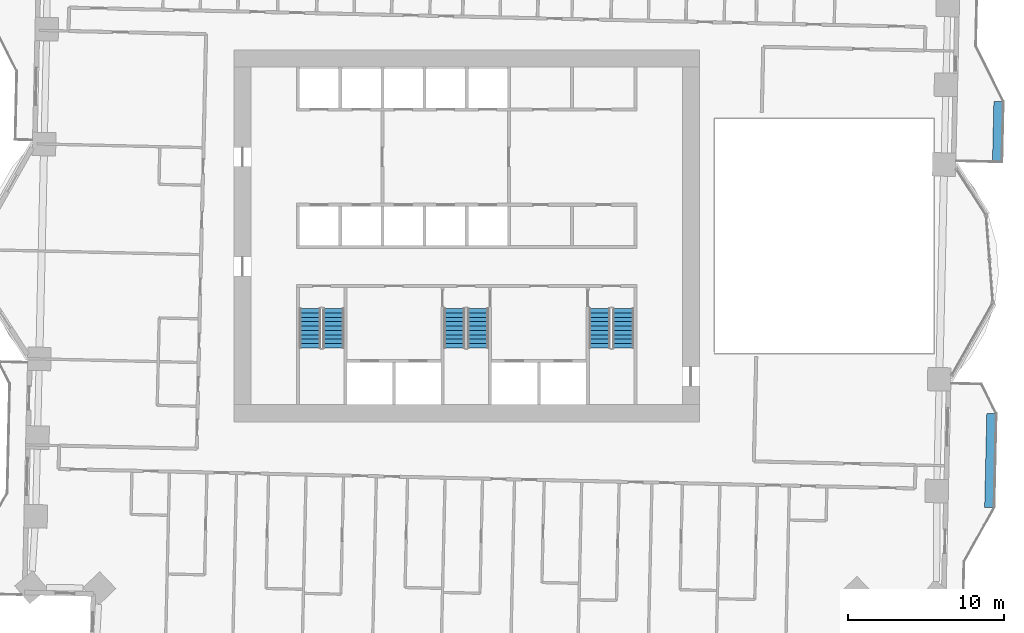
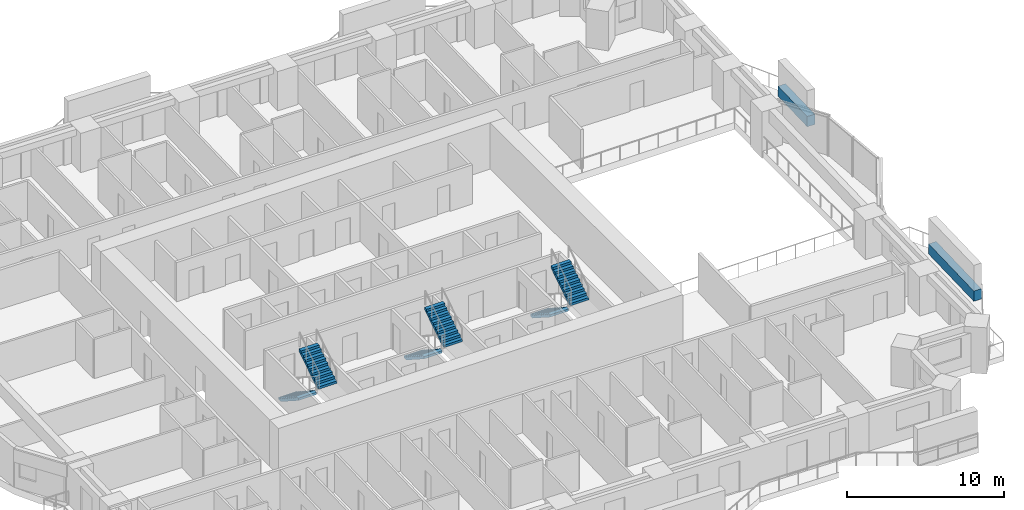
# One storey, part 14 of 19: 6 stair flights, 2 walls, 3 elements without a shape of their own.
"""IFC4 building model written with IfcOpenShell, lengths in metres."""

from ifc_helpers import new_model, si_unit, direction, frame, frame_2d, origin, place, context, subcontext, project, spatial, polyline, rectangle, outline, extrude, material, layer, layer_set, type_object, element, aggregate, save


model = new_model("IFC4")

# Units and contexts
model_context = context("Model", 3, precision=1e-05, world=origin(), true_north=direction((0.0, 1.0)))
body_context = subcontext(model_context, "Body", "Model", "MODEL_VIEW")
ifc_project = project(units=[si_unit("LENGTHUNIT", "METRE"), si_unit("AREAUNIT", "SQUARE_METRE"), si_unit("VOLUMEUNIT", "CUBIC_METRE"), si_unit("PLANEANGLEUNIT", "RADIAN"), si_unit("MASSUNIT", "GRAM", prefix="KILO")], contexts=[model_context])

# Site, building, storey
site_placement = place(None, origin())
site = spatial("IfcSite", under=ifc_project, at=site_placement, CompositionType="ELEMENT")
building_placement = place(site_placement, origin())
building = spatial("IfcBuilding", under=site, at=building_placement, Name="Mangrove Gate Tower", CompositionType="ELEMENT")
storey_placement = place(building_placement, frame((0.0, 0.0, 63.89990234375)))
storey = spatial("IfcBuildingStorey", under=building, at=storey_placement, Name="L15", CompositionType="ELEMENT", Elevation=63.89990234375)

# Walls
ifc_material_1 = material(Name="Concrete C32/40", Category="concrete")
ifc_layer_1 = layer(ifc_material_1, 0.199951171875, Name="Planter trough wall")
ifc_material_2 = material(Name="Bituminous waterproofing membrane")
ifc_layer_2 = layer(ifc_material_2, 0.0048828125, Name="Waterproofing")
ifc_material_3 = material(Name="Drainage board and gravel")
ifc_layer_3 = layer(ifc_material_3, 0.044921875, Name="Drainage layer")
ifc_material_4 = material(Name="Planting soil")
ifc_layer_4 = layer(ifc_material_4, 0.300048828125, Name="Growing medium")
ifc_layer_set = layer_set([ifc_layer_1, ifc_layer_2, ifc_layer_3, ifc_layer_4], Name="Planter wall 550 C32/40")
wall_type = type_object("IfcWallType", Name="Planter wall 550 C32/40", PredefinedType="USERDEFINED", material=ifc_layer_set)
wall_1_placement = place(storey_placement, frame((33.43408203125, -17.376953125, 0.0), z_axis=(0.0, 0.0, 1.0), x_axis=(0.022824916448, 0.999739477659, 0.0)))
element("IfcWall", 1, at=wall_1_placement, inside=storey, type_object=wall_type, Name="PLANTER L15 E0.1", ObjectType="PLANTER", PredefinedType="USERDEFINED", context=body_context, shape_type="SweptSolid", body=[
    extrude(rectangle(XDim=6.00048828125, YDim=0.550048828125, at=frame_2d((3.000244140625, 0.0))), origin(), (0.0, 0.0, 1.0), 0.800048828125),
])
wall_2_placement = place(storey_placement, frame((33.93603515625, 4.742919921875, 0.0), z_axis=(0.0, 0.0, 1.0), x_axis=(0.022681332769, 0.999742745482, 0.0)))
element("IfcWall", 2, at=wall_2_placement, inside=storey, type_object=wall_type, Name="PLANTER L15 E1.1", ObjectType="PLANTER", PredefinedType="USERDEFINED", context=body_context, shape_type="SweptSolid", body=[
    extrude(rectangle(XDim=3.875, YDim=0.550048828125, at=frame_2d((1.9375, 0.0))), origin(), (0.0, 0.0, 1.0), 0.800048828125),
])

# Stair, stair flights
ifc_material_5 = material(Name="Concrete C40/50", Category="concrete")
stair_type = type_object("IfcStairType", Name="Core stair 1350", PredefinedType="HALF_TURN_STAIR", material=ifc_material_5)
stair_1_placement = place(storey_placement, origin())
stair_1 = element("IfcStair", 3, at=stair_1_placement, inside=storey, type_object=stair_type, Name="L15 Stair 1", PredefinedType="HALF_TURN_STAIR")
ifc_material_6 = material(Name="Concrete C40/50", Category="concrete")
stair_flight_type = type_object("IfcStairFlightType", Name="Core stair flight 1350", PredefinedType="STRAIGHT", material=ifc_material_6)
stair_flight_1_placement = place(storey_placement, frame((-10.02490234375, -4.64990234375, 0.0), z_axis=(0.0, 0.0, 1.0), x_axis=(0.0, -1.0, 0.0)))
stair_flight_1 = element("IfcStairFlight", 4, at=stair_flight_1_placement, type_object=stair_flight_type, Name="ST1 flight 1", NumberOfRisers=10, NumberOfTreads=9, PredefinedType="STRAIGHT", RiserHeight=0.18, TreadLength=0.28, context=body_context, shape_type="SweptSolid", body=[
    extrude(outline(polyline([(0.0, 0.0), (0.0, 0.179931640625), (0.280029296875, 0.179931640625), (0.280029296875, 0.360107421875), (0.56005859375, 0.360107421875), (0.56005859375, 0.5400390625), (0.840087890625, 0.5400390625), (0.840087890625, 0.719970703125), (1.1201171875, 0.719970703125), (1.1201171875, 0.89990234375), (1.39990234375, 0.89990234375), (1.39990234375, 1.080078125), (1.679931640625, 1.080078125), (1.679931640625, 1.260009765625), (1.9599609375, 1.260009765625), (1.9599609375, 1.43994140625), (2.239990234375, 1.43994140625), (2.239990234375, 1.6201171875), (2.52001953125, 1.6201171875), (2.52001953125, 1.800048828125), (2.52001953125, 1.44189453125), (0.277099609375, 0.0), (0.0, 0.0)])), frame((0.0, 0.675048828125, 0.0), z_axis=(0.0, -1.0, 0.0), x_axis=(1.0, 0.0, 0.0)), (0.0, 0.0, 1.0), 1.35009765625),
])
stair_flight_2_placement = place(storey_placement, frame((-8.52490234375, -7.169921875, 1.800048828125), z_axis=(0.0, 0.0, 1.0), x_axis=(0.0, 1.0, 0.0)))
stair_flight_2 = element("IfcStairFlight", 5, at=stair_flight_2_placement, type_object=stair_flight_type, Name="ST1 flight 2", NumberOfRisers=10, NumberOfTreads=9, PredefinedType="STRAIGHT", RiserHeight=0.18, TreadLength=0.28, context=body_context, shape_type="SweptSolid", body=[
    extrude(outline(polyline([(0.0, 0.0), (0.0, 0.179931640625), (0.280029296875, 0.179931640625), (0.280029296875, 0.360107421875), (0.56005859375, 0.360107421875), (0.56005859375, 0.5400390625), (0.840087890625, 0.5400390625), (0.840087890625, 0.719970703125), (1.1201171875, 0.719970703125), (1.1201171875, 0.89990234375), (1.39990234375, 0.89990234375), (1.39990234375, 1.080078125), (1.679931640625, 1.080078125), (1.679931640625, 1.260009765625), (1.9599609375, 1.260009765625), (1.9599609375, 1.43994140625), (2.239990234375, 1.43994140625), (2.239990234375, 1.6201171875), (2.52001953125, 1.6201171875), (2.52001953125, 1.800048828125), (2.52001953125, 1.44189453125), (0.277099609375, 0.0), (0.0, 0.0)])), frame((0.0, 0.675048828125, 0.0), z_axis=(0.0, -1.0, 0.0), x_axis=(1.0, 0.0, 0.0)), (0.0, 0.0, 1.0), 1.35009765625),
])
aggregate(stair_1, [stair_flight_1, stair_flight_2])

stair_2_placement = place(storey_placement, origin())
stair_2 = element("IfcStair", 6, at=stair_2_placement, inside=storey, type_object=stair_type, Name="L15 Stair 2", PredefinedType="HALF_TURN_STAIR")
stair_flight_3_placement = place(storey_placement, frame((-0.77490234375, -4.64990234375, 0.0), z_axis=(0.0, 0.0, 1.0), x_axis=(0.0, -1.0, 0.0)))
stair_flight_3 = element("IfcStairFlight", 7, at=stair_flight_3_placement, type_object=stair_flight_type, Name="ST2 flight 1", NumberOfRisers=10, NumberOfTreads=9, PredefinedType="STRAIGHT", RiserHeight=0.18, TreadLength=0.28, context=body_context, shape_type="SweptSolid", body=[
    extrude(outline(polyline([(0.0, 0.0), (0.0, 0.179931640625), (0.280029296875, 0.179931640625), (0.280029296875, 0.360107421875), (0.56005859375, 0.360107421875), (0.56005859375, 0.5400390625), (0.840087890625, 0.5400390625), (0.840087890625, 0.719970703125), (1.1201171875, 0.719970703125), (1.1201171875, 0.89990234375), (1.39990234375, 0.89990234375), (1.39990234375, 1.080078125), (1.679931640625, 1.080078125), (1.679931640625, 1.260009765625), (1.9599609375, 1.260009765625), (1.9599609375, 1.43994140625), (2.239990234375, 1.43994140625), (2.239990234375, 1.6201171875), (2.52001953125, 1.6201171875), (2.52001953125, 1.800048828125), (2.52001953125, 1.44189453125), (0.277099609375, 0.0), (0.0, 0.0)])), frame((0.0, 0.675048828125, 0.0), z_axis=(0.0, -1.0, 0.0), x_axis=(1.0, 0.0, 0.0)), (0.0, 0.0, 1.0), 1.35009765625),
])
stair_flight_4_placement = place(storey_placement, frame((0.72509765625, -7.169921875, 1.800048828125), z_axis=(0.0, 0.0, 1.0), x_axis=(0.0, 1.0, 0.0)))
stair_flight_4 = element("IfcStairFlight", 8, at=stair_flight_4_placement, type_object=stair_flight_type, Name="ST2 flight 2", NumberOfRisers=10, NumberOfTreads=9, PredefinedType="STRAIGHT", RiserHeight=0.18, TreadLength=0.28, context=body_context, shape_type="SweptSolid", body=[
    extrude(outline(polyline([(0.0, 0.0), (0.0, 0.179931640625), (0.280029296875, 0.179931640625), (0.280029296875, 0.360107421875), (0.56005859375, 0.360107421875), (0.56005859375, 0.5400390625), (0.840087890625, 0.5400390625), (0.840087890625, 0.719970703125), (1.1201171875, 0.719970703125), (1.1201171875, 0.89990234375), (1.39990234375, 0.89990234375), (1.39990234375, 1.080078125), (1.679931640625, 1.080078125), (1.679931640625, 1.260009765625), (1.9599609375, 1.260009765625), (1.9599609375, 1.43994140625), (2.239990234375, 1.43994140625), (2.239990234375, 1.6201171875), (2.52001953125, 1.6201171875), (2.52001953125, 1.800048828125), (2.52001953125, 1.44189453125), (0.277099609375, 0.0), (0.0, 0.0)])), frame((0.0, 0.675048828125, 0.0), z_axis=(0.0, -1.0, 0.0), x_axis=(1.0, 0.0, 0.0)), (0.0, 0.0, 1.0), 1.35009765625),
])
aggregate(stair_2, [stair_flight_3, stair_flight_4])

stair_3_placement = place(storey_placement, origin())
stair_3 = element("IfcStair", 9, at=stair_3_placement, inside=storey, type_object=stair_type, Name="L15 Stair 3", PredefinedType="HALF_TURN_STAIR")
stair_flight_5_placement = place(storey_placement, frame((8.52490234375, -4.64990234375, 0.0), z_axis=(0.0, 0.0, 1.0), x_axis=(0.0, -1.0, 0.0)))
stair_flight_5 = element("IfcStairFlight", 10, at=stair_flight_5_placement, type_object=stair_flight_type, Name="ST3 flight 1", NumberOfRisers=10, NumberOfTreads=9, PredefinedType="STRAIGHT", RiserHeight=0.18, TreadLength=0.28, context=body_context, shape_type="SweptSolid", body=[
    extrude(outline(polyline([(0.0, 0.0), (0.0, 0.179931640625), (0.280029296875, 0.179931640625), (0.280029296875, 0.360107421875), (0.56005859375, 0.360107421875), (0.56005859375, 0.5400390625), (0.840087890625, 0.5400390625), (0.840087890625, 0.719970703125), (1.1201171875, 0.719970703125), (1.1201171875, 0.89990234375), (1.39990234375, 0.89990234375), (1.39990234375, 1.080078125), (1.679931640625, 1.080078125), (1.679931640625, 1.260009765625), (1.9599609375, 1.260009765625), (1.9599609375, 1.43994140625), (2.239990234375, 1.43994140625), (2.239990234375, 1.6201171875), (2.52001953125, 1.6201171875), (2.52001953125, 1.800048828125), (2.52001953125, 1.44189453125), (0.277099609375, 0.0), (0.0, 0.0)])), frame((0.0, 0.675048828125, 0.0), z_axis=(0.0, -1.0, 0.0), x_axis=(1.0, 0.0, 0.0)), (0.0, 0.0, 1.0), 1.35009765625),
])
stair_flight_6_placement = place(storey_placement, frame((10.02490234375, -7.169921875, 1.800048828125), z_axis=(0.0, 0.0, 1.0), x_axis=(0.0, 1.0, 0.0)))
stair_flight_6 = element("IfcStairFlight", 11, at=stair_flight_6_placement, type_object=stair_flight_type, Name="ST3 flight 2", NumberOfRisers=10, NumberOfTreads=9, PredefinedType="STRAIGHT", RiserHeight=0.18, TreadLength=0.28, context=body_context, shape_type="SweptSolid", body=[
    extrude(outline(polyline([(0.0, 0.0), (0.0, 0.179931640625), (0.280029296875, 0.179931640625), (0.280029296875, 0.360107421875), (0.56005859375, 0.360107421875), (0.56005859375, 0.5400390625), (0.840087890625, 0.5400390625), (0.840087890625, 0.719970703125), (1.1201171875, 0.719970703125), (1.1201171875, 0.89990234375), (1.39990234375, 0.89990234375), (1.39990234375, 1.080078125), (1.679931640625, 1.080078125), (1.679931640625, 1.260009765625), (1.9599609375, 1.260009765625), (1.9599609375, 1.43994140625), (2.239990234375, 1.43994140625), (2.239990234375, 1.6201171875), (2.52001953125, 1.6201171875), (2.52001953125, 1.800048828125), (2.52001953125, 1.44189453125), (0.277099609375, 0.0), (0.0, 0.0)])), frame((0.0, 0.675048828125, 0.0), z_axis=(0.0, -1.0, 0.0), x_axis=(1.0, 0.0, 0.0)), (0.0, 0.0, 1.0), 1.35009765625),
])
aggregate(stair_3, [stair_flight_5, stair_flight_6])

save(model, "model.ifc")
